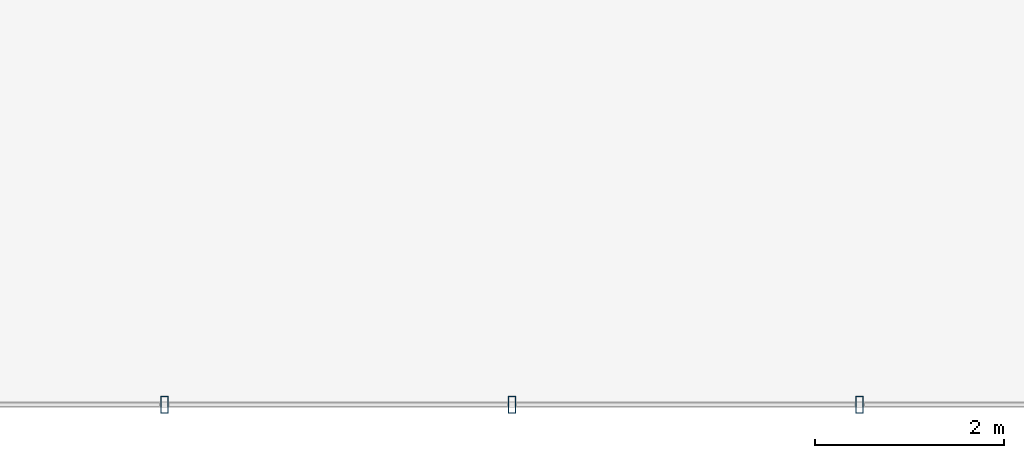
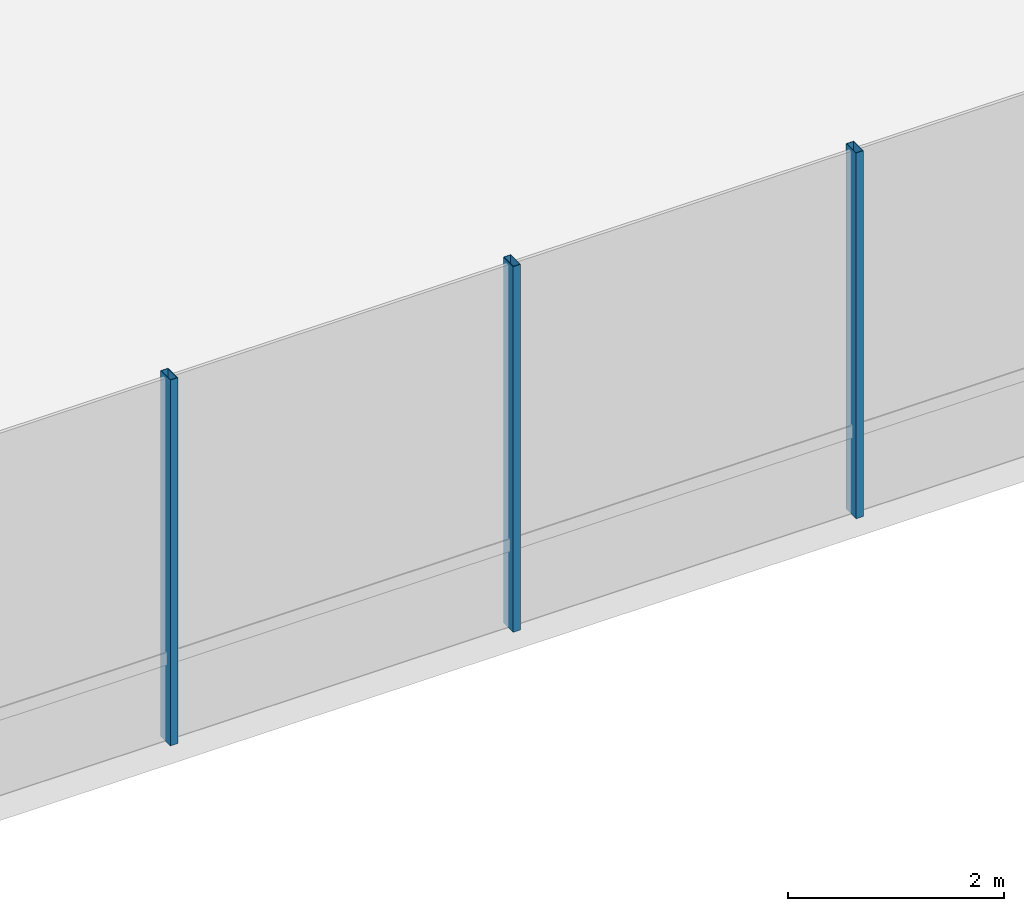
# One storey, part 13 of 37: 3 members, 1 element without a shape of its own.
"""IFC4 building model written with IfcOpenShell, lengths in metres."""

from ifc_helpers import new_model, si_unit, direction, frame, origin, origin_2d, place, context, subcontext, project, spatial, hollow_rectangle, extrude, material, layer, layer_set, material_profile, profile_set, type_object, element, aggregate, save


model = new_model("IFC4")

# Units and contexts
model_context = context("Model", 3, precision=1e-05, world=origin(), true_north=direction((0.0, 1.0)))
body_context = subcontext(model_context, "Body", "Model", "MODEL_VIEW")
ifc_project = project(units=[si_unit("LENGTHUNIT", "METRE"), si_unit("AREAUNIT", "SQUARE_METRE"), si_unit("VOLUMEUNIT", "CUBIC_METRE"), si_unit("PLANEANGLEUNIT", "RADIAN"), si_unit("MASSUNIT", "GRAM", prefix="KILO")], contexts=[model_context])

# Site, building, storey
site_placement = place(None, origin())
site = spatial("IfcSite", under=ifc_project, at=site_placement, CompositionType="ELEMENT")
building_placement = place(site_placement, origin())
building = spatial("IfcBuilding", under=site, at=building_placement, Name="Zarrinselat Tower", CompositionType="ELEMENT")
storey_placement = place(building_placement, frame((0.0, 0.0, 13.93994140625)))
storey = spatial("IfcBuildingStorey", under=building, at=storey_placement, Name="L03", CompositionType="ELEMENT", Elevation=13.93994140625)

# Curtain wall, members
ifc_material_1 = material(Name="Extruded Aluminium Alloy EN AW-6063 T6", Category="aluminium")
ifc_layer = layer(ifc_material_1, 0.2099609375)
ifc_layer_set = layer_set([ifc_layer], Name="Extruded Aluminium Alloy EN AW-6063 T6")
curtain_wall_type = type_object("IfcCurtainWallType", Name="CWS-POD", PredefinedType="NOTDEFINED", material=ifc_layer_set)
curtain_wall_placement = place(storey_placement, origin())
curtain_wall = element("IfcCurtainWall", 1, at=curtain_wall_placement, inside=storey, type_object=curtain_wall_type, Name="L03 Unitised Curtain Wall CW-L03-F1", PredefinedType="NOTDEFINED")
ifc_material_2 = material(Name="Extruded Aluminium Alloy EN AW-6063 T6", Category="aluminium")
ifc_material_profile = material_profile(ifc_material_2, hollow_rectangle(XDim=0.080078125, YDim=0.179931640625, WallThickness=0.0048828125, at=origin_2d()), Name="RHS 180x80x5")
ifc_profile_set = profile_set([ifc_material_profile], Name="Extruded Aluminium Alloy EN AW-6063 T6")
member_type = type_object("IfcMemberType", Name="MEM-CW-MUL", PredefinedType="MULLION", material=ifc_profile_set)
member_1_placement = place(storey_placement, frame((40.2353515625, 5.60009765625, 0.0), z_axis=(0.0, 0.0, 1.0), x_axis=(1.0, 0.0, 0.0)))
member_1 = element("IfcMember", 2, at=member_1_placement, type_object=member_type, Name="CW-L03-F1 Mullion 9", PredefinedType="MULLION", context=body_context, shape_type="SweptSolid", body=[
    extrude(hollow_rectangle(XDim=0.080078125, YDim=0.179931640625, WallThickness=0.0048828125, at=origin_2d()), origin(), (0.0, 0.0, 1.0), 4.14013671875),
])
member_2_placement = place(storey_placement, frame((43.906005859375, 5.60009765625, 0.0), z_axis=(0.0, 0.0, 1.0), x_axis=(1.0, 0.0, 0.0)))
member_2 = element("IfcMember", 3, at=member_2_placement, type_object=member_type, Name="CW-L03-F1 Mullion 10", PredefinedType="MULLION", context=body_context, shape_type="SweptSolid", body=[
    extrude(hollow_rectangle(XDim=0.080078125, YDim=0.179931640625, WallThickness=0.0048828125, at=origin_2d()), origin(), (0.0, 0.0, 1.0), 4.14013671875),
])
member_3_placement = place(storey_placement, frame((47.576416015625, 5.60009765625, 0.0), z_axis=(0.0, 0.0, 1.0), x_axis=(1.0, 0.0, 0.0)))
member_3 = element("IfcMember", 4, at=member_3_placement, type_object=member_type, Name="CW-L03-F1 Mullion 11", PredefinedType="MULLION", context=body_context, shape_type="SweptSolid", body=[
    extrude(hollow_rectangle(XDim=0.080078125, YDim=0.179931640625, WallThickness=0.0048828125, at=origin_2d()), origin(), (0.0, 0.0, 1.0), 4.14013671875),
])
aggregate(curtain_wall, [member_1, member_2, member_3])

save(model, "model.ifc")
